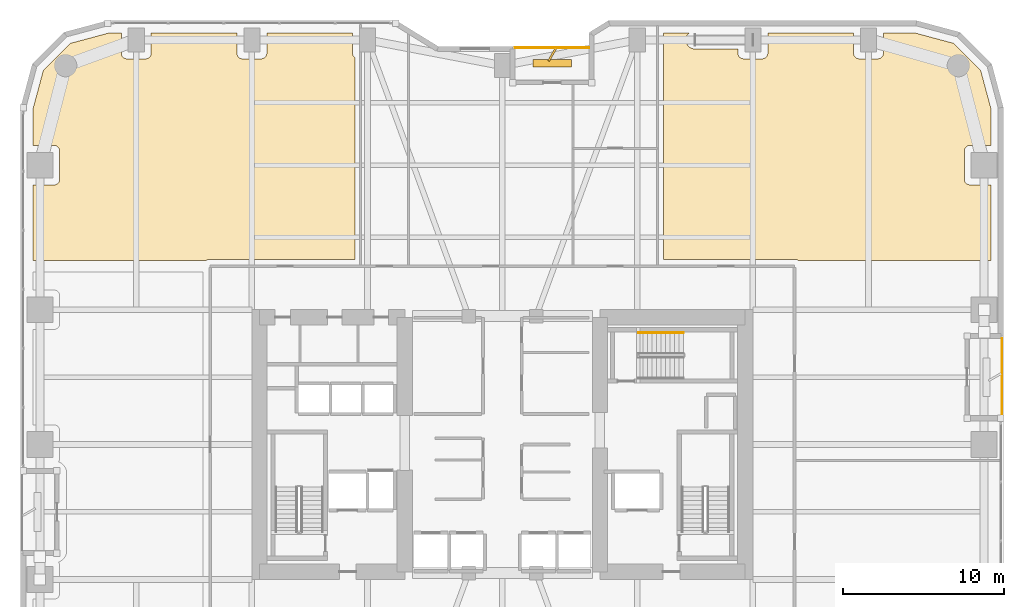
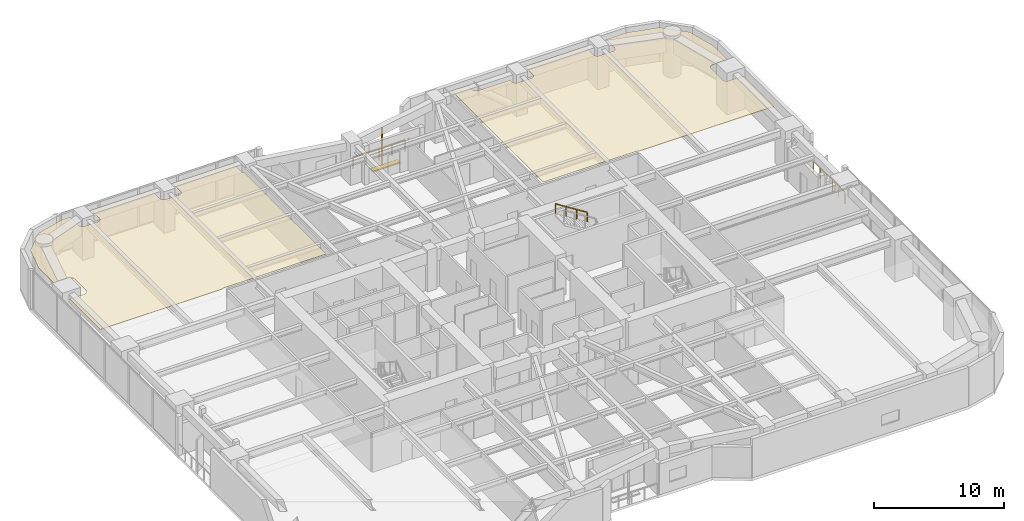
# One storey, part 29 of 29: 3 railings, 2 coverings, 2 shading devices.
"""IFC4 building model written with IfcOpenShell, lengths in metres."""

from ifc_helpers import new_model, si_unit, direction, frame, origin, origin_2d, place, context, subcontext, project, spatial, polyline, rectangle, outline, extrude, material, layer, layer_set, type_object, element, save


model = new_model("IFC4")

# Units and contexts
model_context = context("Model", 3, precision=1e-05, world=origin(), true_north=direction((0.0, 1.0)))
body_context = subcontext(model_context, "Body", "Model", "MODEL_VIEW")
ifc_project = project(units=[si_unit("LENGTHUNIT", "METRE"), si_unit("AREAUNIT", "SQUARE_METRE"), si_unit("VOLUMEUNIT", "CUBIC_METRE"), si_unit("PLANEANGLEUNIT", "RADIAN"), si_unit("MASSUNIT", "GRAM", prefix="KILO")], contexts=[model_context])

# Site, building, storey
site_placement = place(None, origin())
site = spatial("IfcSite", under=ifc_project, at=site_placement, CompositionType="ELEMENT")
building_placement = place(site_placement, origin())
building = spatial("IfcBuilding", under=site, at=building_placement, Name="Kiyonajd Concourse Tower", CompositionType="ELEMENT")
storey_placement = place(building_placement, frame((0.0, 0.0, 48.89990234375)))
storey = spatial("IfcBuildingStorey", under=building, at=storey_placement, Name="L13", CompositionType="ELEMENT", Elevation=48.89990234375)

# Coverings
ifc_material_1 = material(Name="Natural Oak Acoustic Timber Veneer", Category="wood")
ifc_layer = layer(ifc_material_1, 0.0400390625)
ifc_layer_set = layer_set([ifc_layer], Name="Natural Oak Acoustic Timber Veneer")
covering_type = type_object("IfcCoveringType", Name="CV-CLG-ACST", PredefinedType="CEILING", material=ifc_layer_set)
covering_1_placement = place(storey_placement, frame((0.0, 0.0, 3.460205078125)))
element("IfcCovering", 1, at=covering_1_placement, inside=storey, type_object=covering_type, Name="L13-46 Room Acoustic Ceiling", PredefinedType="CEILING", context=body_context, shape_type="SweptSolid", body=[
    extrude(outline(polyline([(21.097900390625, 60.986083984375), (23.5009765625, 61.6298828125), (24.27001953125, 61.6298828125), (24.27197265625, 60.3359375), (24.297119140625, 60.236083984375), (24.3291015625, 60.176025390625), (24.373046875, 60.123046875), (24.426025390625, 60.0791015625), (24.486083984375, 60.047119140625), (24.5859375, 60.02197265625), (25.81396484375, 60.02197265625), (25.9140625, 60.047119140625), (26.001953125, 60.09912109375), (26.051025390625, 60.14794921875), (26.089111328125, 60.205078125), (26.123046875, 60.302001953125), (26.1298828125, 60.3701171875), (26.1298828125, 61.6298828125), (31.469970703125, 61.6298828125), (31.471923828125, 60.3359375), (31.4970703125, 60.236083984375), (31.529052734375, 60.176025390625), (31.572998046875, 60.123046875), (31.6259765625, 60.0791015625), (31.68603515625, 60.047119140625), (31.785888671875, 60.02197265625), (32.97998046875, 60.02001953125), (33.048095703125, 60.027099609375), (33.114013671875, 60.047119140625), (33.201904296875, 60.09912109375), (33.2509765625, 60.14794921875), (33.2890625, 60.205078125), (33.322998046875, 60.302001953125), (33.330078125, 60.3701171875), (33.330078125, 61.6298828125), (38.669921875, 61.6298828125), (38.672119140625, 60.3359375), (38.68505859375, 60.26806640625), (38.7109375, 60.205078125), (38.7490234375, 60.14794921875), (38.81005859375, 60.091064453125), (38.81005859375, 47.5400390625), (29.800048828125, 47.5400390625), (29.669921875, 47.52001953125), (29.60693359375, 47.493896484375), (29.552001953125, 47.4599609375), (18.77001953125, 47.4599609375), (18.77001953125, 52.169921875), (20.080078125, 52.169921875), (20.14794921875, 52.177001953125), (20.2451171875, 52.2109375), (20.302001953125, 52.2490234375), (20.35107421875, 52.298095703125), (20.388916015625, 52.35498046875), (20.4150390625, 52.41796875), (20.429931640625, 52.52001953125), (20.429931640625, 54.280029296875), (20.4150390625, 54.382080078125), (20.388916015625, 54.445068359375), (20.35107421875, 54.501953125), (20.302001953125, 54.551025390625), (20.2451171875, 54.589111328125), (20.181884765625, 54.614990234375), (20.114013671875, 54.6279296875), (18.77001953125, 54.6298828125), (18.77001953125, 56.89892578125), (19.4140625, 59.302001953125), (21.097900390625, 60.986083984375)])), origin(), (0.0, 0.0, 1.0), 0.039794921875),
])
covering_2_placement = place(storey_placement, frame((0.0, 0.0, 3.460205078125)))
element("IfcCovering", 2, at=covering_2_placement, inside=storey, type_object=covering_type, Name="L13-51 Room Acoustic Ceiling", PredefinedType="CEILING", context=body_context, shape_type="SweptSolid", body=[
    extrude(outline(polyline([(58.030029296875, 47.5400390625), (58.030029296875, 61.6298828125), (59.6259765625, 61.6298828125), (59.5390625, 61.533935546875), (59.498046875, 61.469970703125), (59.467041015625, 61.40087890625), (59.43603515625, 61.27490234375), (59.429931640625, 61.199951171875), (59.43603515625, 61.125), (59.467041015625, 60.9990234375), (59.498046875, 60.929931640625), (59.5390625, 60.865966796875), (59.637939453125, 60.759033203125), (59.759033203125, 60.68408203125), (59.87109375, 60.64501953125), (59.97802734375, 60.631103515625), (62.669921875, 60.6298828125), (62.672119140625, 60.3359375), (62.68505859375, 60.26806640625), (62.7109375, 60.205078125), (62.77294921875, 60.123046875), (62.85498046875, 60.06103515625), (62.91796875, 60.034912109375), (63.02001953125, 60.02001953125), (64.214111328125, 60.02197265625), (64.31396484375, 60.047119140625), (64.3740234375, 60.0791015625), (64.427001953125, 60.123046875), (64.489013671875, 60.205078125), (64.514892578125, 60.26806640625), (64.528076171875, 60.3359375), (64.530029296875, 61.6298828125), (69.8701171875, 61.6298828125), (69.8701171875, 60.3701171875), (69.876953125, 60.302001953125), (69.89697265625, 60.236083984375), (69.928955078125, 60.176025390625), (69.998046875, 60.09912109375), (70.0859375, 60.047119140625), (70.18603515625, 60.02197265625), (71.4140625, 60.02197265625), (71.513916015625, 60.047119140625), (71.573974609375, 60.0791015625), (71.626953125, 60.123046875), (71.68896484375, 60.205078125), (71.715087890625, 60.26806640625), (71.72802734375, 60.3359375), (71.72998046875, 61.6298828125), (73.698974609375, 61.6298828125), (76.10205078125, 60.986083984375), (77.785888671875, 59.302001953125), (78.429931640625, 56.89892578125), (78.429931640625, 54.6298828125), (77.1201171875, 54.6298828125), (77.052001953125, 54.623046875), (76.986083984375, 54.60302734375), (76.926025390625, 54.571044921875), (76.84912109375, 54.501953125), (76.81103515625, 54.445068359375), (76.784912109375, 54.382080078125), (76.77001953125, 54.280029296875), (76.77001953125, 52.52001953125), (76.784912109375, 52.41796875), (76.81103515625, 52.35498046875), (76.84912109375, 52.298095703125), (76.89794921875, 52.2490234375), (76.955078125, 52.2109375), (77.01806640625, 52.18505859375), (77.0859375, 52.172119140625), (78.429931640625, 52.169921875), (78.429931640625, 47.4599609375), (66.447998046875, 47.4599609375), (66.39306640625, 47.493896484375), (66.330078125, 47.52001953125), (66.199951171875, 47.5400390625), (58.030029296875, 47.5400390625)])), origin(), (0.0, 0.0, 1.0), 0.039794921875),
])

# Railings
ifc_material_2 = material(Name="Thermally Broken Anodised Aluminium", Category="aluminium")
railing_type_1 = type_object("IfcRailingType", Name="RL-GRD-LOG", PredefinedType="GUARDRAIL", material=ifc_material_2)
railing_1_placement = place(storey_placement, frame((53.39990234375, 60.719970703125, 0.0)))
element("IfcRailing", 3, at=railing_1_placement, inside=storey, type_object=railing_type_1, Name="L13 Engawa Loggia Perimeter Guard LOG-N", PredefinedType="GUARDRAIL", context=body_context, shape_type="SweptSolid", body=[
    extrude(rectangle(XDim=0.048095703125, YDim=0.048095703125, at=origin_2d()), frame((0.0, 0.0, 1.076171875), z_axis=(-1.0, 0.0, 0.0), x_axis=(0.0, -1.0, 0.0)), (0.0, 0.0, 1.0), 4.599853515625),
    extrude(rectangle(XDim=0.0419921875, YDim=0.0419921875, at=origin_2d()), origin(), (0.0, 0.0, 1.0), 1.052001953125),
    extrude(rectangle(XDim=0.0419921875, YDim=0.0419921875, at=origin_2d()), frame((-1.14990234375, 0.0, 0.0)), (0.0, 0.0, 1.0), 1.052001953125),
    extrude(rectangle(XDim=0.0419921875, YDim=0.0419921875, at=origin_2d()), frame((-2.2998046875, 0.0, 0.0)), (0.0, 0.0, 1.0), 1.052001953125),
    extrude(rectangle(XDim=0.0419921875, YDim=0.0419921875, at=origin_2d()), frame((-3.449951171875, 0.0, 0.0)), (0.0, 0.0, 1.0), 1.052001953125),
    extrude(rectangle(XDim=0.0419921875, YDim=0.0419921875, at=origin_2d()), frame((-4.599853515625, 0.0, 0.0)), (0.0, 0.0, 1.0), 1.052001953125),
])
railing_2_placement = place(storey_placement, frame((79.1201171875, 37.800048828125, 0.0)))
element("IfcRailing", 4, at=railing_2_placement, inside=storey, type_object=railing_type_1, Name="L13 Engawa Loggia Perimeter Guard LOG-E", PredefinedType="GUARDRAIL", context=body_context, shape_type="SweptSolid", body=[
    extrude(rectangle(XDim=0.048095703125, YDim=0.048095703125, at=origin_2d()), frame((0.0, 0.0, 1.076171875), z_axis=(0.0, 1.0, 0.0), x_axis=(-1.0, 0.0, 0.0)), (0.0, 0.0, 1.0), 4.800048828125),
    extrude(rectangle(XDim=0.0419921875, YDim=0.0419921875, at=origin_2d()), origin(), (0.0, 0.0, 1.0), 1.052001953125),
    extrude(rectangle(XDim=0.0419921875, YDim=0.0419921875, at=origin_2d()), frame((0.0, 0.9599609375, 0.0)), (0.0, 0.0, 1.0), 1.052001953125),
    extrude(rectangle(XDim=0.0419921875, YDim=0.0419921875, at=origin_2d()), frame((0.0, 1.919921875, 0.0)), (0.0, 0.0, 1.0), 1.052001953125),
    extrude(rectangle(XDim=0.0419921875, YDim=0.0419921875, at=origin_2d()), frame((0.0, 2.880126953125, 0.0)), (0.0, 0.0, 1.0), 1.052001953125),
    extrude(rectangle(XDim=0.0419921875, YDim=0.0419921875, at=origin_2d()), frame((0.0, 3.840087890625, 0.0)), (0.0, 0.0, 1.0), 1.052001953125),
    extrude(rectangle(XDim=0.0419921875, YDim=0.0419921875, at=origin_2d()), frame((0.0, 4.800048828125, 0.0)), (0.0, 0.0, 1.0), 1.052001953125),
])
ifc_material_3 = material(Name="Brushed Stainless Steel Cab Assembly", Category="steel")
railing_type_2 = type_object("IfcRailingType", Name="RL-HND-900", PredefinedType="HANDRAIL", material=ifc_material_3)
railing_3_placement = place(storey_placement, frame((59.280029296875, 42.969970703125, 2.12744140625)))
element("IfcRailing", 5, at=railing_3_placement, inside=storey, type_object=railing_type_2, Name="L13 ST3 stair handrail 2", PredefinedType="HANDRAIL", context=body_context, shape_type="SweptSolid", body=[
    extrude(rectangle(XDim=0.048095703125, YDim=0.048095703125, at=origin_2d()), frame((0.0, 0.0, 0.8759765625), z_axis=(-0.844908973607, 0.0, 0.534910110503), x_axis=(0.0, -1.0, 0.0)), (0.0, 0.0, 1.0), 3.31396484375),
    extrude(rectangle(XDim=0.0419921875, YDim=0.0419921875, at=origin_2d()), origin(), (0.0, 0.0, 1.0), 0.851806640625),
    extrude(rectangle(XDim=0.0419921875, YDim=0.0419921875, at=origin_2d()), frame((-0.933349609375, 0.0, 0.5908203125)), (0.0, 0.0, 1.0), 0.851806640625),
    extrude(rectangle(XDim=0.0419921875, YDim=0.0419921875, at=origin_2d()), frame((-1.86669921875, 0.0, 1.181884765625)), (0.0, 0.0, 1.0), 0.851806640625),
    extrude(rectangle(XDim=0.0419921875, YDim=0.0419921875, at=origin_2d()), frame((-2.800048828125, 0.0, 1.772705078125)), (0.0, 0.0, 1.0), 0.851806640625),
])

# Shading devices
ifc_material_4 = material(Name="Precast concrete C50/60", Category="concrete")
shading_device_type_1 = type_object("IfcShadingDeviceType", Name="SH-FIN-900", PredefinedType="USERDEFINED", material=ifc_material_4)
shading_device_1_placement = place(storey_placement, frame((51.10009765625, 60.27001953125, 0.0), z_axis=(0.0, 0.0, 1.0), x_axis=(0.5, 0.866025403784, 0.0)))
element("IfcShadingDevice", 6, at=shading_device_1_placement, inside=storey, type_object=shading_device_type_1, Name="L13 Angled Koshi Solar Fin LOG-N", ObjectType="FIN", PredefinedType="USERDEFINED", context=body_context, shape_type="SweptSolid", body=[
    extrude(rectangle(XDim=0.89990234375, YDim=0.1201171875, at=origin_2d()), origin(), (0.0, 0.0, 1.0), 3.0),
])
shading_device_type_2 = type_object("IfcShadingDeviceType", Name="SH-LVR-600", PredefinedType="JALOUSIE", material=ifc_material_2)
shading_device_2_placement = place(storey_placement, frame((51.10009765625, 59.75, 0.0), z_axis=(0.0, 0.0, 1.0), x_axis=(1.0, 0.0, 0.0)))
element("IfcShadingDevice", 7, at=shading_device_2_placement, inside=storey, type_object=shading_device_type_2, Name="L13 Loggia Threshold Louver LOG-N", PredefinedType="JALOUSIE", context=body_context, shape_type="SweptSolid", body=[
    extrude(rectangle(XDim=2.39990234375, YDim=0.449951171875, at=origin_2d()), origin(), (0.0, 0.0, 1.0), 0.10009765625),
])

save(model, "model.ifc")
